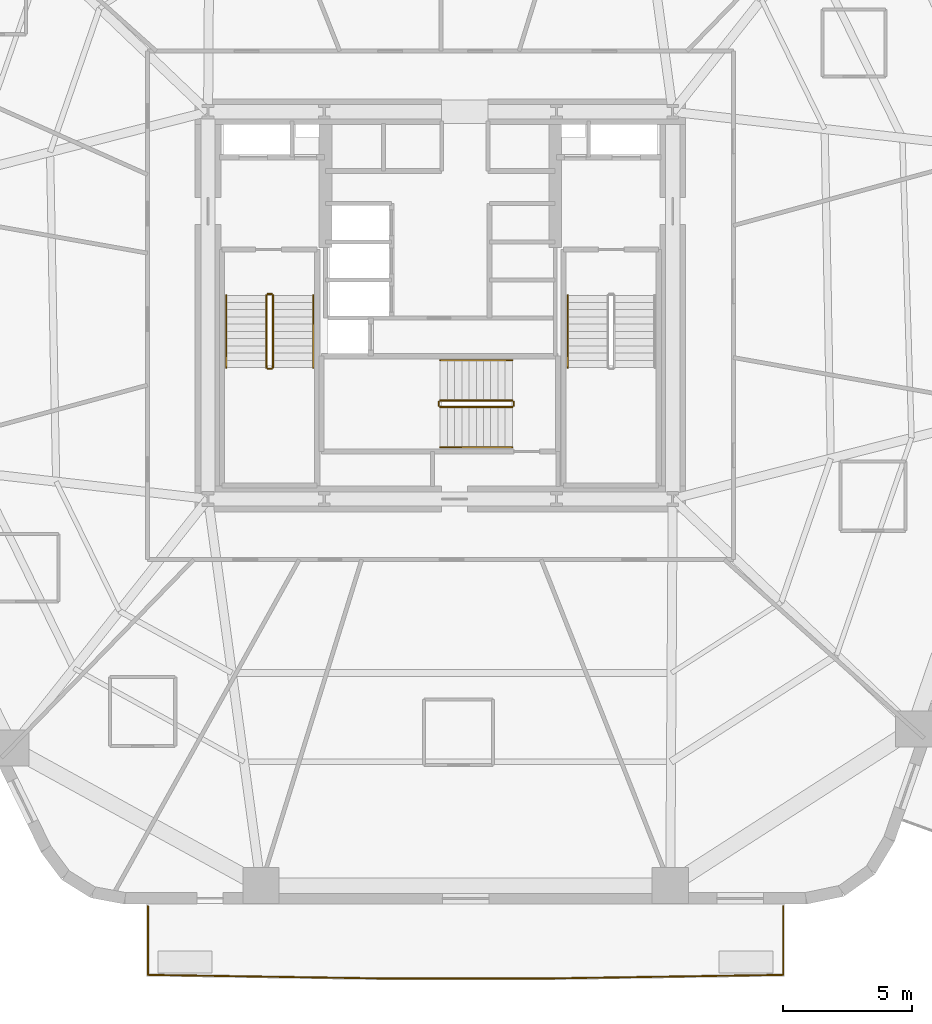
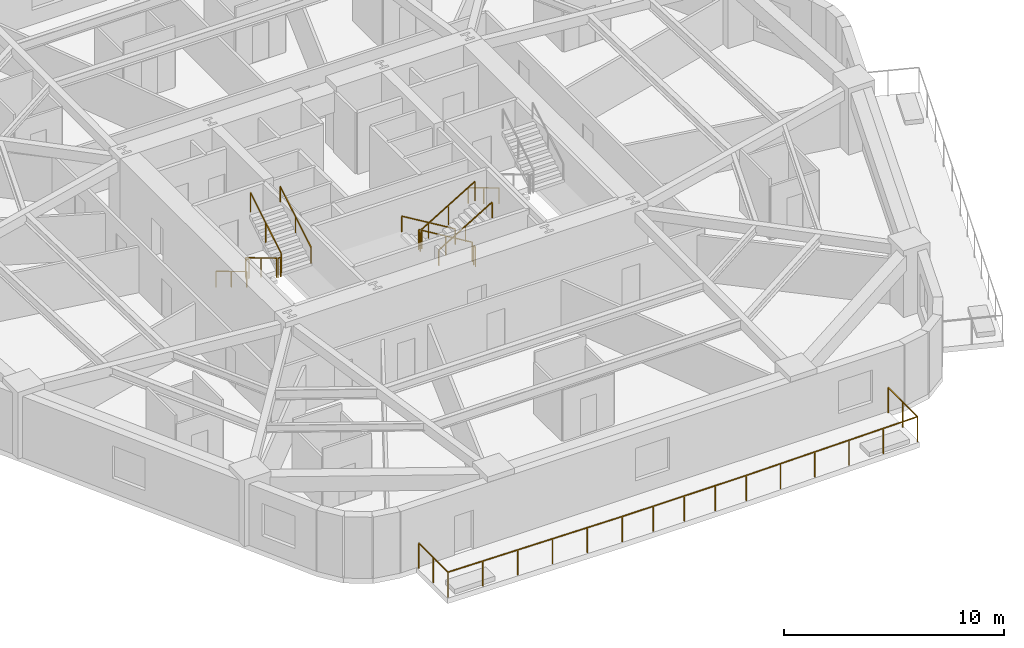
# One storey, part 8 of 10: 14 railings.
"""IFC4 building model written with IfcOpenShell, lengths in metres."""

from ifc_helpers import new_model, si_unit, direction, frame, origin, origin_2d, place, context, subcontext, project, spatial, rectangle, extrude, material, layer, layer_set, type_object, element, save


model = new_model("IFC4")

# Units and contexts
model_context = context("Model", 3, precision=1e-05, world=origin(), true_north=direction((0.0, 1.0)))
body_context = subcontext(model_context, "Body", "Model", "MODEL_VIEW")
ifc_project = project(units=[si_unit("LENGTHUNIT", "METRE"), si_unit("AREAUNIT", "SQUARE_METRE"), si_unit("VOLUMEUNIT", "CUBIC_METRE"), si_unit("PLANEANGLEUNIT", "RADIAN"), si_unit("MASSUNIT", "GRAM", prefix="KILO")], contexts=[model_context])

# Site, building, storey
site_placement = place(None, origin())
site = spatial("IfcSite", under=ifc_project, at=site_placement, CompositionType="ELEMENT")
building_placement = place(site_placement, origin())
building = spatial("IfcBuilding", under=site, at=building_placement, Name="Kilnhurst Terrace Hotel", CompositionType="ELEMENT")
storey_placement = place(building_placement, frame((0.0, 0.0, 74.89990234375)))
storey = spatial("IfcBuildingStorey", under=building, at=storey_placement, Name="L17", CompositionType="ELEMENT", Elevation=74.89990234375)

# Railings
ifc_material_1 = material(Name="Laminated SentryGlas and Stainless Steel AISI 316L Balustrade", Category="steel")
ifc_layer_1 = layer(ifc_material_1, 0.070068359375, Name="Laminated SentryGlas and Stainless Steel AISI 316L Balustrade")
ifc_layer_set_1 = layer_set([ifc_layer_1], Name="Laminated SentryGlas and Stainless Steel AISI 316L Balustrade")
railing_type_1 = type_object("IfcRailingType", Name="RLG-BAL-1420", PredefinedType="BALUSTRADE", material=ifc_layer_set_1)
railing_1_placement = place(storey_placement, frame((13.281494140625, -23.280029296875, 0.0)))
element("IfcRailing", 1, at=railing_1_placement, inside=storey, type_object=railing_type_1, Name="L17 Exterior Terrace Guardrail BAL-L1A.1", PredefinedType="BALUSTRADE", context=body_context, shape_type="SweptSolid", body=[
    extrude(rectangle(XDim=0.048095703125, YDim=0.048095703125, at=origin_2d()), frame((0.0, 0.0, 1.39599609375), z_axis=(0.0, -1.0, 0.0), x_axis=(1.0, 0.0, 0.0)), (0.0, 0.0, 1.0), 2.660888671875),
    extrude(rectangle(XDim=0.048095703125, YDim=0.048095703125, at=origin_2d()), frame((0.0, -2.660888671875, 1.39599609375), z_axis=(-0.999881869157, -0.015370352358, 0.0), x_axis=(0.015370352358, -0.999881869157, 0.0)), (0.0, 0.0, 1.0), 9.0537109375),
    extrude(rectangle(XDim=0.048095703125, YDim=0.048095703125, at=origin_2d()), frame((-9.052734375, -2.800048828125, 1.39599609375), z_axis=(-1.0, 0.0, 0.0), x_axis=(0.0, -1.0, 0.0)), (0.0, 0.0, 1.0), 6.508056640625),
    extrude(rectangle(XDim=0.048095703125, YDim=0.048095703125, at=origin_2d()), frame((-15.560791015625, -2.800048828125, 1.39599609375), z_axis=(-0.999881869157, 0.015370352358, 0.0), x_axis=(-0.015370352358, -0.999881869157, 0.0)), (0.0, 0.0, 1.0), 9.0537109375),
    extrude(rectangle(XDim=0.048095703125, YDim=0.048095703125, at=origin_2d()), frame((-24.613525390625, -2.660888671875, 1.39599609375), z_axis=(0.0, 1.0, 0.0), x_axis=(-1.0, 0.0, 0.0)), (0.0, 0.0, 1.0), 2.660888671875),
    extrude(rectangle(XDim=0.0419921875, YDim=0.0419921875, at=origin_2d()), origin(), (0.0, 0.0, 1.0), 1.371826171875),
    extrude(rectangle(XDim=0.0419921875, YDim=0.0419921875, at=origin_2d()), frame((0.0, -1.33056640625, 0.0)), (0.0, 0.0, 1.0), 1.371826171875),
    extrude(rectangle(XDim=0.0419921875, YDim=0.0419921875, at=origin_2d()), frame((0.0, -2.660888671875, 0.0)), (0.0, 0.0, 1.0), 1.371826171875),
    extrude(rectangle(XDim=0.0419921875, YDim=0.0419921875, at=origin_2d()), frame((-1.810546875, -2.688720703125, 0.0)), (0.0, 0.0, 1.0), 1.371826171875),
    extrude(rectangle(XDim=0.0419921875, YDim=0.0419921875, at=origin_2d()), frame((-3.62109375, -2.716552734375, 0.0)), (0.0, 0.0, 1.0), 1.371826171875),
    extrude(rectangle(XDim=0.0419921875, YDim=0.0419921875, at=origin_2d()), frame((-5.431640625, -2.744384765625, 0.0)), (0.0, 0.0, 1.0), 1.371826171875),
    extrude(rectangle(XDim=0.0419921875, YDim=0.0419921875, at=origin_2d()), frame((-7.2421875, -2.772216796875, 0.0)), (0.0, 0.0, 1.0), 1.371826171875),
    extrude(rectangle(XDim=0.0419921875, YDim=0.0419921875, at=origin_2d()), frame((-9.052734375, -2.800048828125, 0.0)), (0.0, 0.0, 1.0), 1.371826171875),
    extrude(rectangle(XDim=0.0419921875, YDim=0.0419921875, at=origin_2d()), frame((-10.6796875, -2.800048828125, 0.0)), (0.0, 0.0, 1.0), 1.371826171875),
    extrude(rectangle(XDim=0.0419921875, YDim=0.0419921875, at=origin_2d()), frame((-12.306640625, -2.800048828125, 0.0)), (0.0, 0.0, 1.0), 1.371826171875),
    extrude(rectangle(XDim=0.0419921875, YDim=0.0419921875, at=origin_2d()), frame((-13.933837890625, -2.800048828125, 0.0)), (0.0, 0.0, 1.0), 1.371826171875),
    extrude(rectangle(XDim=0.0419921875, YDim=0.0419921875, at=origin_2d()), frame((-15.560791015625, -2.800048828125, 0.0)), (0.0, 0.0, 1.0), 1.371826171875),
    extrude(rectangle(XDim=0.0419921875, YDim=0.0419921875, at=origin_2d()), frame((-17.371337890625, -2.772216796875, 0.0)), (0.0, 0.0, 1.0), 1.371826171875),
    extrude(rectangle(XDim=0.0419921875, YDim=0.0419921875, at=origin_2d()), frame((-19.181884765625, -2.744384765625, 0.0)), (0.0, 0.0, 1.0), 1.371826171875),
    extrude(rectangle(XDim=0.0419921875, YDim=0.0419921875, at=origin_2d()), frame((-20.992431640625, -2.716552734375, 0.0)), (0.0, 0.0, 1.0), 1.371826171875),
    extrude(rectangle(XDim=0.0419921875, YDim=0.0419921875, at=origin_2d()), frame((-22.802978515625, -2.688720703125, 0.0)), (0.0, 0.0, 1.0), 1.371826171875),
    extrude(rectangle(XDim=0.0419921875, YDim=0.0419921875, at=origin_2d()), frame((-24.613525390625, -2.660888671875, 0.0)), (0.0, 0.0, 1.0), 1.371826171875),
    extrude(rectangle(XDim=0.0419921875, YDim=0.0419921875, at=origin_2d()), frame((-24.613525390625, -1.33056640625, 0.0)), (0.0, 0.0, 1.0), 1.371826171875),
    extrude(rectangle(XDim=0.0419921875, YDim=0.0419921875, at=origin_2d()), frame((-24.613525390625, 0.0, 0.0)), (0.0, 0.0, 1.0), 1.371826171875),
])
ifc_material_2 = material(Name="Powder-Coated Steel ASTM A500 Grade B", Category="steel")
ifc_layer_2 = layer(ifc_material_2, 0.050048828125, Name="Powder-Coated Steel ASTM A500 Grade B")
ifc_layer_set_2 = layer_set([ifc_layer_2], Name="Powder-Coated Steel ASTM A500 Grade B")
railing_type_2 = type_object("IfcRailingType", Name="RLG-ST-GRD-1100", PredefinedType="GUARDRAIL", material=ifc_layer_set_2)
railing_2_placement = place(storey_placement, frame((-6.739990234375, 0.389892578125, 0.168212890625)))
element("IfcRailing", 2, at=railing_2_placement, inside=storey, type_object=railing_type_2, Name="L17 ST-1 stair guard 1", PredefinedType="GUARDRAIL", context=body_context, shape_type="SweptSolid", body=[
    extrude(rectangle(XDim=0.048095703125, YDim=0.048095703125, at=origin_2d()), frame((0.0, 0.0, 1.076171875), z_axis=(0.0, -0.857222391501, 0.514946377315), x_axis=(1.0, 0.0, 0.0)), (0.0, 0.0, 1.0), 3.26611328125),
    extrude(rectangle(XDim=0.0419921875, YDim=0.0419921875, at=origin_2d()), origin(), (0.0, 0.0, 1.0), 1.052001953125),
    extrude(rectangle(XDim=0.0419921875, YDim=0.0419921875, at=origin_2d()), frame((0.0, -1.39990234375, 0.8408203125)), (0.0, 0.0, 1.0), 1.052001953125),
    extrude(rectangle(XDim=0.0419921875, YDim=0.0419921875, at=origin_2d()), frame((0.0, -2.7998046875, 1.681884765625)), (0.0, 0.0, 1.0), 1.052001953125),
])
railing_3_placement = place(storey_placement, frame((-6.68994140625, -2.4599609375, 1.85009765625)))
element("IfcRailing", 3, at=railing_3_placement, inside=storey, type_object=railing_type_2, Name="L17 ST-1 stair guard 2", PredefinedType="GUARDRAIL", context=body_context, shape_type="SweptSolid", body=[
    extrude(rectangle(XDim=0.048095703125, YDim=0.048095703125, at=origin_2d()), frame((0.0, 0.0, 1.076171875), z_axis=(1.0, 0.0, 0.0), x_axis=(0.0, 1.0, 0.0)), (0.0, 0.0, 1.0), 0.14990234375),
    extrude(rectangle(XDim=0.0419921875, YDim=0.0419921875, at=origin_2d()), origin(), (0.0, 0.0, 1.0), 1.052001953125),
    extrude(rectangle(XDim=0.0419921875, YDim=0.0419921875, at=origin_2d()), frame((0.14990234375, 0.0, 0.0)), (0.0, 0.0, 1.0), 1.052001953125),
])
railing_4_placement = place(storey_placement, frame((-6.489990234375, -2.409912109375, 2.018310546875)))
element("IfcRailing", 4, at=railing_4_placement, inside=storey, type_object=railing_type_2, Name="L17 ST-1 stair guard 3", PredefinedType="GUARDRAIL", context=body_context, shape_type="SweptSolid", body=[
    extrude(rectangle(XDim=0.048095703125, YDim=0.048095703125, at=origin_2d()), frame((0.0, 0.0, 1.076171875), z_axis=(0.0, 0.857222391501, 0.514946377315), x_axis=(-1.0, 0.0, 0.0)), (0.0, 0.0, 1.0), 3.26611328125),
    extrude(rectangle(XDim=0.0419921875, YDim=0.0419921875, at=origin_2d()), origin(), (0.0, 0.0, 1.0), 1.052001953125),
    extrude(rectangle(XDim=0.0419921875, YDim=0.0419921875, at=origin_2d()), frame((0.0, 1.39990234375, 0.8408203125)), (0.0, 0.0, 1.0), 1.052001953125),
    extrude(rectangle(XDim=0.0419921875, YDim=0.0419921875, at=origin_2d()), frame((0.0, 2.7998046875, 1.681884765625)), (0.0, 0.0, 1.0), 1.052001953125),
])
railing_5_placement = place(storey_placement, frame((-6.68994140625, 0.43994140625, 0.0)))
element("IfcRailing", 5, at=railing_5_placement, inside=storey, type_object=railing_type_2, Name="L17 ST-1 stair guard 4", PredefinedType="GUARDRAIL", context=body_context, shape_type="SweptSolid", body=[
    extrude(rectangle(XDim=0.048095703125, YDim=0.048095703125, at=origin_2d()), frame((0.0, 0.0, 1.076171875), z_axis=(1.0, 0.0, 0.0), x_axis=(0.0, 1.0, 0.0)), (0.0, 0.0, 1.0), 0.14990234375),
    extrude(rectangle(XDim=0.0419921875, YDim=0.0419921875, at=origin_2d()), origin(), (0.0, 0.0, 1.0), 1.052001953125),
    extrude(rectangle(XDim=0.0419921875, YDim=0.0419921875, at=origin_2d()), frame((0.14990234375, 0.0, 0.0)), (0.0, 0.0, 1.0), 1.052001953125),
])
railing_6_placement = place(storey_placement, frame((2.7900390625, -3.68994140625, 0.168212890625)))
element("IfcRailing", 6, at=railing_6_placement, inside=storey, type_object=railing_type_2, Name="L17 ST-3 stair guard 1", PredefinedType="GUARDRAIL", context=body_context, shape_type="SweptSolid", body=[
    extrude(rectangle(XDim=0.048095703125, YDim=0.048095703125, at=origin_2d()), frame((0.0, 0.0, 1.076171875), z_axis=(-0.857242210791, 0.0, 0.514913383045), x_axis=(0.0, -1.0, 0.0)), (0.0, 0.0, 1.0), 3.266357421875),
    extrude(rectangle(XDim=0.0419921875, YDim=0.0419921875, at=origin_2d()), origin(), (0.0, 0.0, 1.0), 1.052001953125),
    extrude(rectangle(XDim=0.0419921875, YDim=0.0419921875, at=origin_2d()), frame((-1.39990234375, 0.0, 0.8408203125)), (0.0, 0.0, 1.0), 1.052001953125),
    extrude(rectangle(XDim=0.0419921875, YDim=0.0419921875, at=origin_2d()), frame((-2.800048828125, 0.0, 1.681884765625)), (0.0, 0.0, 1.0), 1.052001953125),
])
railing_7_placement = place(storey_placement, frame((-0.06005859375, -3.739990234375, 1.85009765625)))
element("IfcRailing", 7, at=railing_7_placement, inside=storey, type_object=railing_type_2, Name="L17 ST-3 stair guard 2", PredefinedType="GUARDRAIL", context=body_context, shape_type="SweptSolid", body=[
    extrude(rectangle(XDim=0.048095703125, YDim=0.048095703125, at=origin_2d()), frame((0.0, 0.0, 1.076171875), z_axis=(0.0, -1.0, 0.0), x_axis=(1.0, 0.0, 0.0)), (0.0, 0.0, 1.0), 0.14990234375),
    extrude(rectangle(XDim=0.0419921875, YDim=0.0419921875, at=origin_2d()), origin(), (0.0, 0.0, 1.0), 1.052001953125),
    extrude(rectangle(XDim=0.0419921875, YDim=0.0419921875, at=origin_2d()), frame((0.0, -0.14990234375, 0.0)), (0.0, 0.0, 1.0), 1.052001953125),
])
railing_8_placement = place(storey_placement, frame((-0.010009765625, -3.93994140625, 2.018310546875)))
element("IfcRailing", 8, at=railing_8_placement, inside=storey, type_object=railing_type_2, Name="L17 ST-3 stair guard 3", PredefinedType="GUARDRAIL", context=body_context, shape_type="SweptSolid", body=[
    extrude(rectangle(XDim=0.048095703125, YDim=0.048095703125, at=origin_2d()), frame((0.0, 0.0, 1.076171875), z_axis=(0.857242210791, 0.0, 0.514913383045), x_axis=(0.0, 1.0, 0.0)), (0.0, 0.0, 1.0), 3.266357421875),
    extrude(rectangle(XDim=0.0419921875, YDim=0.0419921875, at=origin_2d()), origin(), (0.0, 0.0, 1.0), 1.052001953125),
    extrude(rectangle(XDim=0.0419921875, YDim=0.0419921875, at=origin_2d()), frame((1.39990234375, 0.0, 0.8408203125)), (0.0, 0.0, 1.0), 1.052001953125),
    extrude(rectangle(XDim=0.0419921875, YDim=0.0419921875, at=origin_2d()), frame((2.800048828125, 0.0, 1.681884765625)), (0.0, 0.0, 1.0), 1.052001953125),
])
railing_9_placement = place(storey_placement, frame((2.840087890625, -3.739990234375, 0.0)))
element("IfcRailing", 9, at=railing_9_placement, inside=storey, type_object=railing_type_2, Name="L17 ST-3 stair guard 4", PredefinedType="GUARDRAIL", context=body_context, shape_type="SweptSolid", body=[
    extrude(rectangle(XDim=0.048095703125, YDim=0.048095703125, at=origin_2d()), frame((0.0, 0.0, 1.076171875), z_axis=(0.0, -1.0, 0.0), x_axis=(1.0, 0.0, 0.0)), (0.0, 0.0, 1.0), 0.14990234375),
    extrude(rectangle(XDim=0.0419921875, YDim=0.0419921875, at=origin_2d()), origin(), (0.0, 0.0, 1.0), 1.052001953125),
    extrude(rectangle(XDim=0.0419921875, YDim=0.0419921875, at=origin_2d()), frame((0.0, -0.14990234375, 0.0)), (0.0, 0.0, 1.0), 1.052001953125),
])
ifc_material_3 = material(Name="Brushed Stainless Steel AISI 304", Category="steel")
ifc_layer_3 = layer(ifc_material_3, 0.048095703125, Name="Brushed Stainless Steel AISI 304")
ifc_layer_set_3 = layer_set([ifc_layer_3], Name="Brushed Stainless Steel AISI 304")
railing_type_3 = type_object("IfcRailingType", Name="RLG-ST-HRL-900", PredefinedType="HANDRAIL", material=ifc_layer_set_3)
railing_10_placement = place(storey_placement, frame((-8.300048828125, 0.389892578125, 0.168212890625)))
element("IfcRailing", 10, at=railing_10_placement, inside=storey, type_object=railing_type_3, Name="L17 ST-1 stair handrail 1", PredefinedType="HANDRAIL", context=body_context, shape_type="SweptSolid", body=[
    extrude(rectangle(XDim=0.048095703125, YDim=0.048095703125, at=origin_2d()), frame((0.0, 0.0, 0.8759765625), z_axis=(0.0, -0.857222391501, 0.514946377315), x_axis=(1.0, 0.0, 0.0)), (0.0, 0.0, 1.0), 3.26611328125),
    extrude(rectangle(XDim=0.0419921875, YDim=0.0419921875, at=origin_2d()), origin(), (0.0, 0.0, 1.0), 0.851806640625),
    extrude(rectangle(XDim=0.0419921875, YDim=0.0419921875, at=origin_2d()), frame((0.0, -1.39990234375, 0.8408203125)), (0.0, 0.0, 1.0), 0.851806640625),
    extrude(rectangle(XDim=0.0419921875, YDim=0.0419921875, at=origin_2d()), frame((0.0, -2.7998046875, 1.681884765625)), (0.0, 0.0, 1.0), 0.851806640625),
])
railing_11_placement = place(storey_placement, frame((-4.929931640625, -2.409912109375, 2.018310546875)))
element("IfcRailing", 11, at=railing_11_placement, inside=storey, type_object=railing_type_3, Name="L17 ST-1 stair handrail 2", PredefinedType="HANDRAIL", context=body_context, shape_type="SweptSolid", body=[
    extrude(rectangle(XDim=0.048095703125, YDim=0.048095703125, at=origin_2d()), frame((0.0, 0.0, 0.8759765625), z_axis=(0.0, 0.857222391501, 0.514946377315), x_axis=(-1.0, 0.0, 0.0)), (0.0, 0.0, 1.0), 3.26611328125),
    extrude(rectangle(XDim=0.0419921875, YDim=0.0419921875, at=origin_2d()), origin(), (0.0, 0.0, 1.0), 0.851806640625),
    extrude(rectangle(XDim=0.0419921875, YDim=0.0419921875, at=origin_2d()), frame((0.0, 1.39990234375, 0.8408203125)), (0.0, 0.0, 1.0), 0.851806640625),
    extrude(rectangle(XDim=0.0419921875, YDim=0.0419921875, at=origin_2d()), frame((0.0, 2.7998046875, 1.681884765625)), (0.0, 0.0, 1.0), 0.851806640625),
])
railing_12_placement = place(storey_placement, frame((4.929931640625, 0.389892578125, 0.168212890625)))
element("IfcRailing", 12, at=railing_12_placement, inside=storey, type_object=railing_type_3, Name="L17 ST-2 stair handrail 1", PredefinedType="HANDRAIL", context=body_context, shape_type="SweptSolid", body=[
    extrude(rectangle(XDim=0.048095703125, YDim=0.048095703125, at=origin_2d()), frame((0.0, 0.0, 0.8759765625), z_axis=(0.0, -0.857222391501, 0.514946377315), x_axis=(1.0, 0.0, 0.0)), (0.0, 0.0, 1.0), 3.26611328125),
    extrude(rectangle(XDim=0.0419921875, YDim=0.0419921875, at=origin_2d()), origin(), (0.0, 0.0, 1.0), 0.851806640625),
    extrude(rectangle(XDim=0.0419921875, YDim=0.0419921875, at=origin_2d()), frame((0.0, -1.39990234375, 0.8408203125)), (0.0, 0.0, 1.0), 0.851806640625),
    extrude(rectangle(XDim=0.0419921875, YDim=0.0419921875, at=origin_2d()), frame((0.0, -2.7998046875, 1.681884765625)), (0.0, 0.0, 1.0), 0.851806640625),
])
railing_13_placement = place(storey_placement, frame((2.7900390625, -2.1298828125, 0.168212890625)))
element("IfcRailing", 13, at=railing_13_placement, inside=storey, type_object=railing_type_3, Name="L17 ST-3 stair handrail 1", PredefinedType="HANDRAIL", context=body_context, shape_type="SweptSolid", body=[
    extrude(rectangle(XDim=0.048095703125, YDim=0.048095703125, at=origin_2d()), frame((0.0, 0.0, 0.8759765625), z_axis=(-0.857242210791, 0.0, 0.514913383045), x_axis=(0.0, -1.0, 0.0)), (0.0, 0.0, 1.0), 3.266357421875),
    extrude(rectangle(XDim=0.0419921875, YDim=0.0419921875, at=origin_2d()), origin(), (0.0, 0.0, 1.0), 0.851806640625),
    extrude(rectangle(XDim=0.0419921875, YDim=0.0419921875, at=origin_2d()), frame((-1.39990234375, 0.0, 0.8408203125)), (0.0, 0.0, 1.0), 0.851806640625),
    extrude(rectangle(XDim=0.0419921875, YDim=0.0419921875, at=origin_2d()), frame((-2.800048828125, 0.0, 1.681884765625)), (0.0, 0.0, 1.0), 0.851806640625),
])
railing_14_placement = place(storey_placement, frame((-0.010009765625, -5.5, 2.018310546875)))
element("IfcRailing", 14, at=railing_14_placement, inside=storey, type_object=railing_type_3, Name="L17 ST-3 stair handrail 2", PredefinedType="HANDRAIL", context=body_context, shape_type="SweptSolid", body=[
    extrude(rectangle(XDim=0.048095703125, YDim=0.048095703125, at=origin_2d()), frame((0.0, 0.0, 0.8759765625), z_axis=(0.857242210791, 0.0, 0.514913383045), x_axis=(0.0, 1.0, 0.0)), (0.0, 0.0, 1.0), 3.266357421875),
    extrude(rectangle(XDim=0.0419921875, YDim=0.0419921875, at=origin_2d()), origin(), (0.0, 0.0, 1.0), 0.851806640625),
    extrude(rectangle(XDim=0.0419921875, YDim=0.0419921875, at=origin_2d()), frame((1.39990234375, 0.0, 0.8408203125)), (0.0, 0.0, 1.0), 0.851806640625),
    extrude(rectangle(XDim=0.0419921875, YDim=0.0419921875, at=origin_2d()), frame((2.800048828125, 0.0, 1.681884765625)), (0.0, 0.0, 1.0), 0.851806640625),
])

save(model, "model.ifc")
